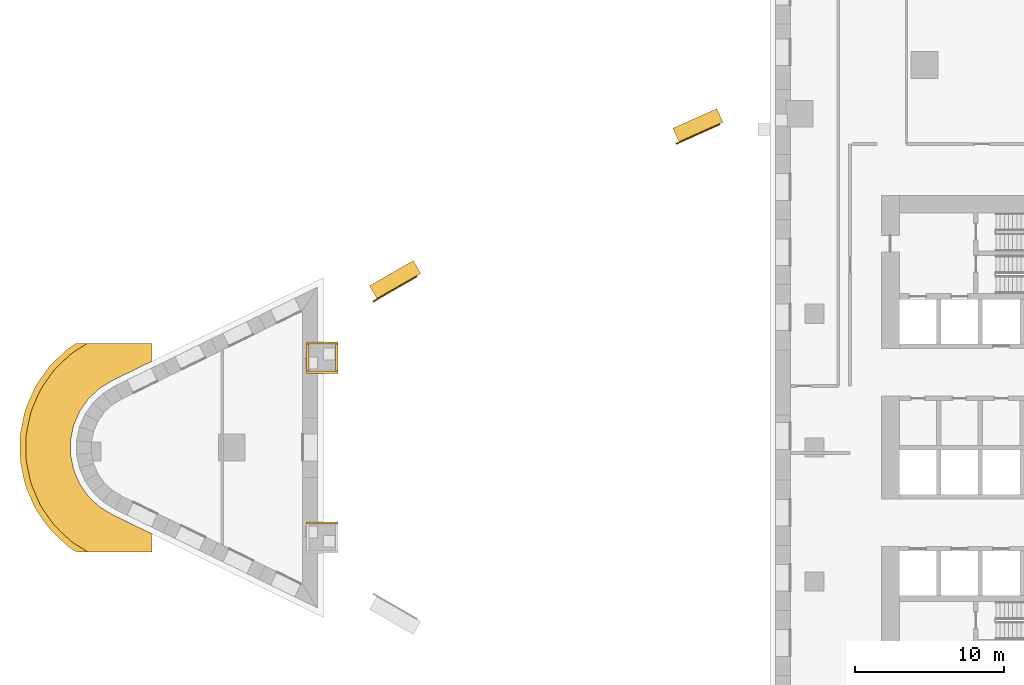
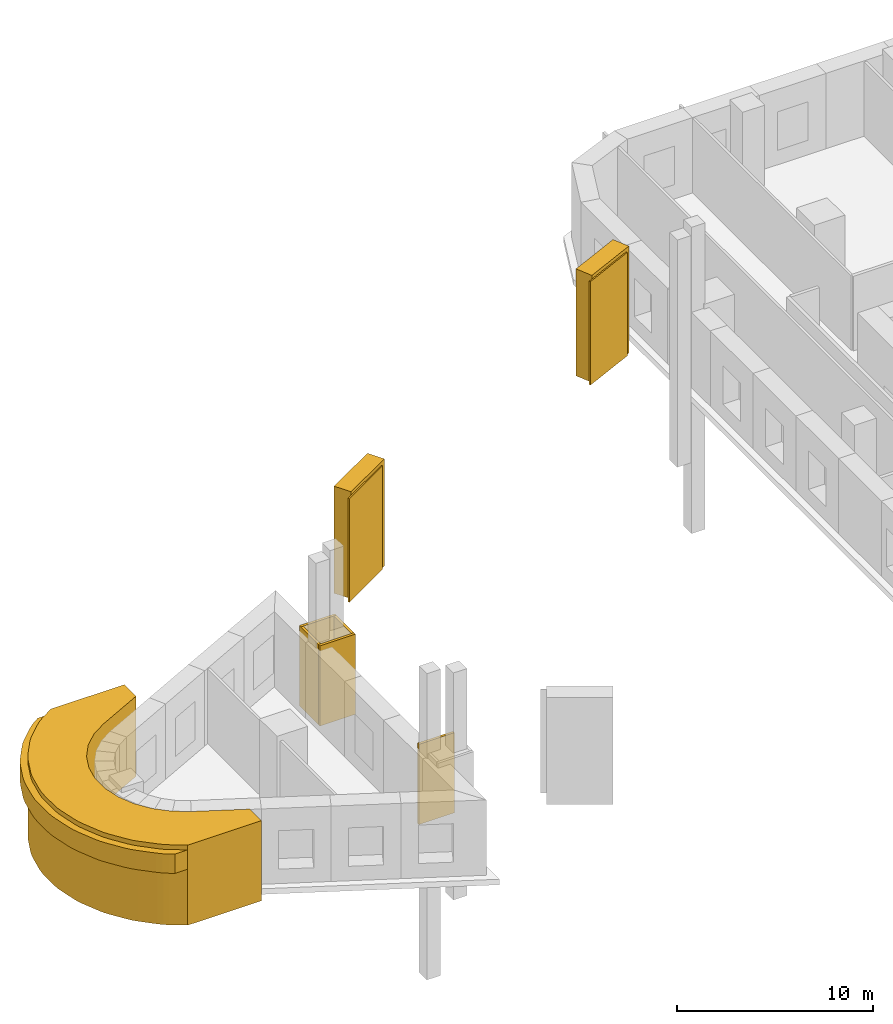
# One storey, part 9 of 11: 11 coverings.
"""IFC4 building model written with IfcOpenShell, lengths in metres."""

from ifc_helpers import new_model, si_unit, direction, frame, frame_2d, origin, place, context, subcontext, project, spatial, polyline, rectangle, outline, extrude, material, layer, layer_set, type_object, element, save


model = new_model("IFC4")

# Units and contexts
model_context = context("Model", 3, precision=1e-05, world=origin(), true_north=direction((0.0, 1.0)))
body_context = subcontext(model_context, "Body", "Model", "MODEL_VIEW")
ifc_project = project(units=[si_unit("LENGTHUNIT", "METRE"), si_unit("AREAUNIT", "SQUARE_METRE"), si_unit("VOLUMEUNIT", "CUBIC_METRE"), si_unit("PLANEANGLEUNIT", "RADIAN"), si_unit("MASSUNIT", "GRAM", prefix="KILO")], contexts=[model_context])

# Site, building, storey
site_placement = place(None, origin())
site = spatial("IfcSite", under=ifc_project, at=site_placement, CompositionType="ELEMENT")
building_placement = place(site_placement, origin())
building = spatial("IfcBuilding", under=site, at=building_placement, Name="Ostrand Prow Hotel Tower", CompositionType="ELEMENT")
storey_placement = place(building_placement, frame((0.0, 0.0, 19.0)))
storey = spatial("IfcBuildingStorey", under=building, at=storey_placement, Name="L03", CompositionType="ELEMENT", Elevation=19.0)

# Coverings
ifc_material_1 = material(Name="Dark bronze anodised aluminium lining", Category="aluminium")
ifc_layer_1 = layer(ifc_material_1, 0.080078125)
ifc_layer_set_1 = layer_set([ifc_layer_1], Name="Dark bronze anodised aluminium lining")
covering_type_1 = type_object("IfcCoveringType", Name="Arch spandrel limestone cladding 80 mm", PredefinedType="CLADDING", material=ifc_layer_set_1)
covering_1_placement = place(storey_placement, frame((15.357177734375, 9.807861328125, 3.244140625), z_axis=(0.0, 0.0, 1.0), x_axis=(0.866286070807, 0.499548239438, 0.0)))
element("IfcCovering", 1, at=covering_1_placement, inside=storey, type_object=covering_type_1, Name="Arch spandrel cladding N 5", PredefinedType="CLADDING", context=body_context, shape_type="SweptSolid", body=[
    extrude(rectangle(XDim=3.397216796875, YDim=0.080078125, at=frame_2d((1.69873046875, 0.0))), origin(), (0.0, 0.0, 1.0), 6.455810546875),
])
covering_2_placement = place(storey_placement, frame((35.699951171875, 20.402099609375, 3.244140625), z_axis=(0.0, 0.0, 1.0), x_axis=(0.911986613416, 0.410219961668, 0.0)))
element("IfcCovering", 2, at=covering_2_placement, inside=storey, type_object=covering_type_1, Name="Arch spandrel cladding N 11", PredefinedType="CLADDING", context=body_context, shape_type="SweptSolid", body=[
    extrude(rectangle(XDim=3.226806640625, YDim=0.080078125, at=frame_2d((1.61328125, 0.0))), origin(), (0.0, 0.0, 1.0), 6.455810546875),
])
ifc_material_2 = material(Name="Limestone cladding", Category="masonry")
ifc_layer_2 = layer(ifc_material_2, 0.14990234375)
ifc_layer_set_2 = layer_set([ifc_layer_2], Name="Limestone cladding")
covering_type_2 = type_object("IfcCoveringType", Name="Column stone sleeve 150 mm", PredefinedType="CLADDING", material=ifc_layer_set_2)
for number, where, z_axis, x_axis, name in (
    (3, (12.976318359375, -5.06689453125, 0.0), (0.0, 0.0, 1.0), (-1.0, 0.0, 0.0), "Column stone sleeve MC-S1 3"),
    (4, (10.87646484375, 5.06689453125, 0.0), (0.0, 0.0, 1.0), (1.0, 0.0, 0.0), "Column stone sleeve MC-N6 1"),
):
    element("IfcCovering", number, at=place(storey_placement, frame(where, z_axis=z_axis, x_axis=x_axis)), inside=storey, type_object=covering_type_2, Name=name, PredefinedType="CLADDING", context=body_context, shape_type="SweptSolid", body=[
        extrude(rectangle(XDim=2.099853515625, YDim=0.14990234375, at=frame_2d((1.0498046875, 0.0))), origin(), (0.0, 0.0, 1.0), 5.0),
    ])
covering_3_placement = place(storey_placement, frame((12.9013671875, 4.991943359375, 0.0), z_axis=(0.0, 0.0, 1.0), x_axis=(0.0, 1.0, 0.0)))
element("IfcCovering", 5, at=covering_3_placement, inside=storey, type_object=covering_type_2, Name="Column stone sleeve MC-N6 2", PredefinedType="CLADDING", context=body_context, shape_type="SweptSolid", body=[
    extrude(rectangle(XDim=2.10009765625, YDim=0.14990234375, at=frame_2d((1.050048828125, 0.0))), origin(), (0.0, 0.0, 1.0), 5.0),
])
covering_4_placement = place(storey_placement, frame((12.976318359375, 7.01708984375, 0.0), z_axis=(0.0, 0.0, 1.0), x_axis=(-1.0, 0.0, 0.0)))
element("IfcCovering", 6, at=covering_4_placement, inside=storey, type_object=covering_type_2, Name="Column stone sleeve MC-N6 3", PredefinedType="CLADDING", context=body_context, shape_type="SweptSolid", body=[
    extrude(rectangle(XDim=2.099853515625, YDim=0.14990234375, at=frame_2d((1.0498046875, 0.0))), origin(), (0.0, 0.0, 1.0), 5.0),
])
covering_5_placement = place(storey_placement, frame((10.951416015625, 7.092041015625, 0.0), z_axis=(0.0, 0.0, 1.0), x_axis=(0.0, -1.0, 0.0)))
element("IfcCovering", 7, at=covering_5_placement, inside=storey, type_object=covering_type_2, Name="Column stone sleeve MC-N6 4", PredefinedType="CLADDING", context=body_context, shape_type="SweptSolid", body=[
    extrude(rectangle(XDim=2.10009765625, YDim=0.14990234375, at=frame_2d((1.050048828125, 0.0))), origin(), (0.0, 0.0, 1.0), 5.0),
])
ifc_material_3 = material(Name="Limestone cladding", Category="masonry")
ifc_layer_3 = layer(ifc_material_3, 1.0)
ifc_layer_set_3 = layer_set([ifc_layer_3], Name="Limestone cladding")
covering_type_3 = type_object("IfcCoveringType", Name="Portal frame limestone 1000 mm", PredefinedType="CLADDING", material=ifc_layer_set_3)
covering_6_placement = place(storey_placement, frame((15.357177734375, 10.43359375, 3.244140625), z_axis=(0.0, 0.0, 1.0), x_axis=(0.866938934334, 0.498414369913, 0.0)))
element("IfcCovering", 8, at=covering_6_placement, inside=storey, type_object=covering_type_3, Name="Portal frame N 5", PredefinedType="CLADDING", context=body_context, shape_type="SweptSolid", body=[
    extrude(rectangle(XDim=3.39453125, YDim=1.0, at=frame_2d((1.697265625, 0.0))), origin(), (0.0, 0.0, 1.0), 6.6748046875),
])
covering_7_placement = place(storey_placement, frame((35.699951171875, 20.99609375, 3.244140625), z_axis=(0.0, 0.0, 1.0), x_axis=(0.912439161173, 0.40921238637, 0.0)))
element("IfcCovering", 9, at=covering_7_placement, inside=storey, type_object=covering_type_3, Name="Portal frame N 11", PredefinedType="CLADDING", context=body_context, shape_type="SweptSolid", body=[
    extrude(rectangle(XDim=3.225341796875, YDim=1.0, at=frame_2d((1.61279296875, 0.0))), origin(), (0.0, 0.0, 1.0), 6.6748046875),
])
ifc_material_4 = material(Name="Bronze anodised aluminium cladding", Category="aluminium")
ifc_layer_4 = layer(ifc_material_4, 0.39990234375)
ifc_layer_set_4 = layer_set([ifc_layer_4], Name="Bronze anodised aluminium cladding")
covering_type_4 = type_object("IfcCoveringType", Name="Prow nose bronze band", PredefinedType="CLADDING", material=ifc_layer_set_4)
covering_8_placement = place(storey_placement, frame((0.0, 0.0, 3.5)))
element("IfcCovering", 10, at=covering_8_placement, inside=storey, type_object=covering_type_4, Name="Prow nose band L03", PredefinedType="CLADDING", context=body_context, shape_type="SweptSolid", body=[
    extrude(outline(polyline([(-4.8447265625, -6.849365234375), (-4.601806640625, -7.0), (-3.843017578125, -7.0), (-4.6337890625, -6.509521484375), (-4.88427734375, -6.3359375), (-5.11572265625, -6.137939453125), (-5.851806640625, -5.44091796875), (-6.06201171875, -5.220458984375), (-6.248779296875, -4.979736328125), (-6.8291015625, -4.1484375), (-6.990478515625, -3.89013671875), (-7.125, -3.616943359375), (-7.525390625, -2.685546875), (-7.631591796875, -2.39990234375), (-7.7080078125, -2.105224609375), (-7.91259765625, -1.112060546875), (-7.958740234375, -0.81103515625), (-7.97412109375, -0.5068359375), (-7.97412109375, 0.5068359375), (-7.958740234375, 0.81103515625), (-7.91259765625, 1.112060546875), (-7.7080078125, 2.105224609375), (-7.631591796875, 2.39990234375), (-7.525390625, 2.685546875), (-7.125, 3.616943359375), (-6.990478515625, 3.89013671875), (-6.8291015625, 4.1484375), (-6.248779296875, 4.979736328125), (-6.06201171875, 5.220458984375), (-5.851806640625, 5.44091796875), (-5.11572265625, 6.137939453125), (-4.88427734375, 6.3359375), (-4.6337890625, 6.509521484375), (-3.843017578125, 7.0), (-4.601806640625, 7.0), (-4.8447265625, 6.849365234375), (-5.12841796875, 6.65283203125), (-5.390625, 6.428466796875), (-6.126708984375, 5.731201171875), (-6.364990234375, 5.4814453125), (-6.57666015625, 5.208740234375), (-7.156982421875, 4.37744140625), (-7.340087890625, 4.084716796875), (-7.4921875, 3.77490234375), (-7.89306640625, 2.843505859375), (-8.01318359375, 2.52001953125), (-8.099853515625, 2.185791015625), (-8.30419921875, 1.19287109375), (-8.356689453125, 0.851806640625), (-8.374267578125, 0.5068359375), (-8.374267578125, -0.5068359375), (-8.356689453125, -0.851806640625), (-8.30419921875, -1.19287109375), (-8.099853515625, -2.185791015625), (-8.01318359375, -2.52001953125), (-7.89306640625, -2.843505859375), (-7.4921875, -3.77490234375), (-7.340087890625, -4.084716796875), (-7.156982421875, -4.37744140625), (-6.57666015625, -5.208740234375), (-6.364990234375, -5.4814453125), (-6.126708984375, -5.731201171875), (-5.390625, -6.428466796875), (-5.12841796875, -6.65283203125), (-4.8447265625, -6.849365234375)])), origin(), (0.0, 0.0, 1.0), 1.199951171875),
])
ifc_material_5 = material(Name="Limestone cladding", Category="masonry")
ifc_layer_5 = layer(ifc_material_5, 3.0)
ifc_layer_set_5 = layer_set([ifc_layer_5], Name="Limestone cladding")
covering_type_5 = type_object("IfcCoveringType", Name="Prow nose pier limestone", PredefinedType="CLADDING", material=ifc_layer_set_5)
covering_9_placement = place(storey_placement, origin())
element("IfcCovering", 11, at=covering_9_placement, inside=storey, type_object=covering_type_5, Name="Prow nose pier L03", PredefinedType="CLADDING", context=body_context, shape_type="SweptSolid", body=[
    extrude(outline(polyline([(-4.6337890625, -6.509521484375), (-3.843017578125, -7.0), (0.5, -7.0), (0.5, -5.80615234375), (-2.19091796875, -4.494384765625), (-3.052490234375, -3.9599609375), (-3.788818359375, -3.2626953125), (-4.368896484375, -2.431396484375), (-4.769775390625, -1.5), (-4.97412109375, -0.5068359375), (-4.97412109375, 0.5068359375), (-4.769775390625, 1.5), (-4.368896484375, 2.431396484375), (-3.788818359375, 3.2626953125), (-3.052490234375, 3.9599609375), (-2.19091796875, 4.494384765625), (0.5, 5.80615234375), (0.5, 7.0), (-3.843017578125, 7.0), (-4.6337890625, 6.509521484375), (-4.88427734375, 6.3359375), (-5.11572265625, 6.137939453125), (-5.851806640625, 5.44091796875), (-6.06201171875, 5.220458984375), (-6.248779296875, 4.979736328125), (-6.8291015625, 4.1484375), (-6.990478515625, 3.89013671875), (-7.125, 3.616943359375), (-7.525390625, 2.685546875), (-7.631591796875, 2.39990234375), (-7.7080078125, 2.105224609375), (-7.91259765625, 1.112060546875), (-7.958740234375, 0.81103515625), (-7.97412109375, 0.5068359375), (-7.97412109375, -0.5068359375), (-7.958740234375, -0.81103515625), (-7.91259765625, -1.112060546875), (-7.7080078125, -2.105224609375), (-7.631591796875, -2.39990234375), (-7.525390625, -2.685546875), (-7.125, -3.616943359375), (-6.990478515625, -3.89013671875), (-6.8291015625, -4.1484375), (-6.248779296875, -4.979736328125), (-6.06201171875, -5.220458984375), (-5.851806640625, -5.44091796875), (-5.11572265625, -6.137939453125), (-4.88427734375, -6.3359375), (-4.6337890625, -6.509521484375)])), origin(), (0.0, 0.0, 1.0), 5.0),
])

save(model, "model.ifc")
